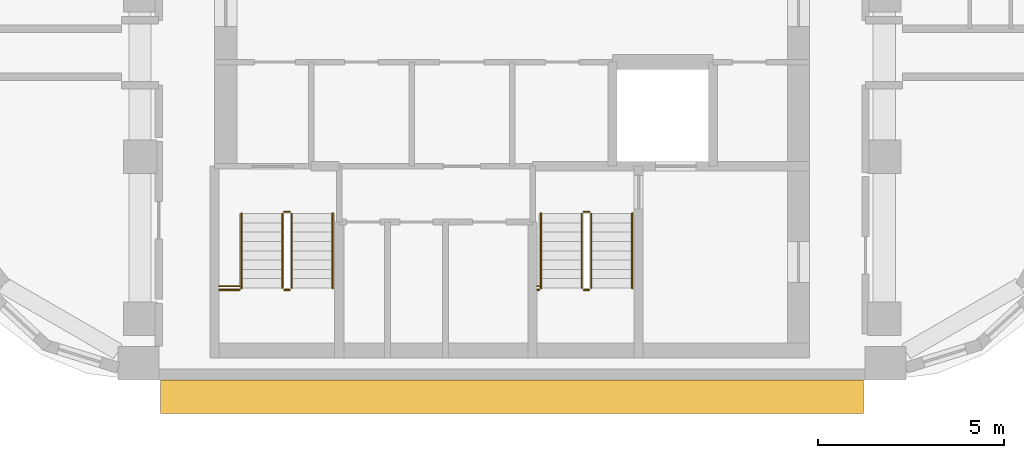
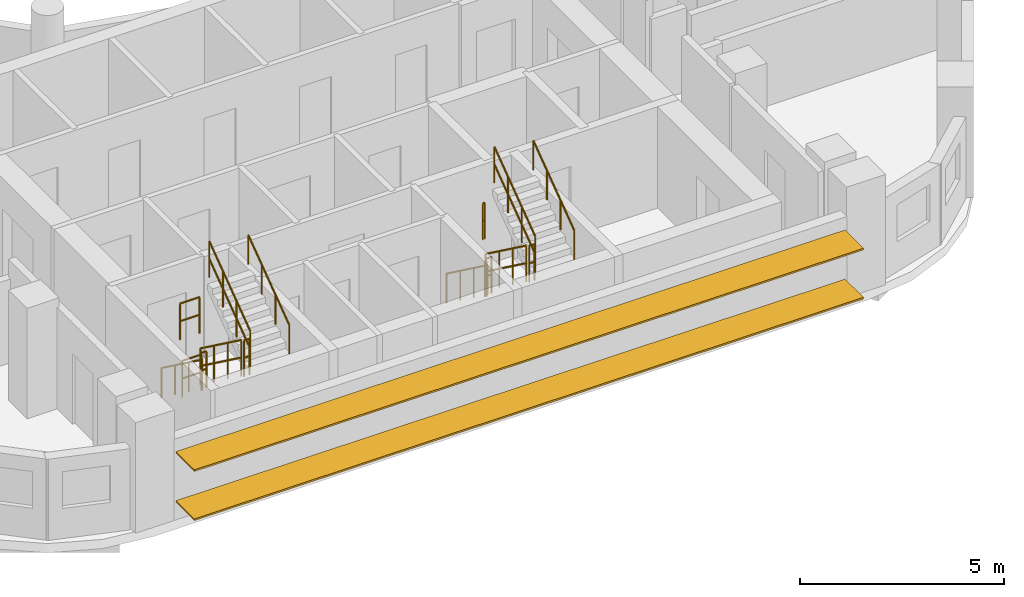
# One storey, part 11 of 13: 16 railings, 2 shading devices.
"""IFC4 building model written with IfcOpenShell, lengths in metres."""

from ifc_helpers import new_model, si_unit, direction, frame, origin, origin_2d, place, context, subcontext, project, spatial, rectangle, circle, extrude, material, material_profile, profile_set, type_object, element, save


model = new_model("IFC4")

# Units and contexts
model_context = context("Model", 3, precision=1e-05, world=origin(), true_north=direction((0.0, 1.0)))
body_context = subcontext(model_context, "Body", "Model", "MODEL_VIEW")
ifc_project = project(units=[si_unit("LENGTHUNIT", "METRE"), si_unit("AREAUNIT", "SQUARE_METRE"), si_unit("VOLUMEUNIT", "CUBIC_METRE"), si_unit("PLANEANGLEUNIT", "RADIAN"), si_unit("MASSUNIT", "GRAM", prefix="KILO")], contexts=[model_context])

# Site, building, storey
site_placement = place(None, origin())
site = spatial("IfcSite", under=ifc_project, at=site_placement, CompositionType="ELEMENT")
building_placement = place(site_placement, origin())
building = spatial("IfcBuilding", under=site, at=building_placement, Name="Nakaniwa Court", CompositionType="ELEMENT")
storey_placement = place(building_placement, frame((0.0, 0.0, 239.39990234375)))
storey = spatial("IfcBuildingStorey", under=building, at=storey_placement, Name="L62", CompositionType="ELEMENT", Elevation=239.39990234375)

# Shading devices
ifc_material_1 = material(Name="Perforated charcoal ceramic louvre blade")
ifc_material_profile = material_profile(ifc_material_1, rectangle(XDim=0.89990234375, YDim=0.050048828125, at=origin_2d()), Name="Perforated ceramic louvre blade")
ifc_profile_set = profile_set([ifc_material_profile], Name="Perforated charcoal ceramic louvre blade")
shading_device_type = type_object("IfcShadingDeviceType", Name="Perforated ceramic louvre blade", PredefinedType="JALOUSIE", material=ifc_profile_set)
for number, where, z_axis, x_axis, name in (
    (1, (70.55078125, 56.89990234375, 0.550048828125), (1.0, 0.0, 0.0), (0.0, 1.0, 0.0), "L62 perforated ceramic louvre blade w26 1"),
    (2, (70.55078125, 56.89990234375, 2.01513671875), (1.0, 0.0, 0.0), (0.0, 1.0, 0.0), "L62 perforated ceramic louvre blade w26 2"),
):
    element("IfcShadingDevice", number, at=place(storey_placement, frame(where, z_axis=z_axis, x_axis=x_axis)), inside=storey, type_object=shading_device_type, Name=name, PredefinedType="JALOUSIE", context=body_context, shape_type="SweptSolid", body=[
        extrude(rectangle(XDim=0.89990234375, YDim=0.050048828125, at=origin_2d()), origin(), (0.0, 0.0, 1.0), 18.892822265625),
    ])

# Railings
ifc_material_2 = material(Name="Black powder coated steel guard", Category="steel")
railing_type_1 = type_object("IfcRailingType", Name="Stair guard 1100", PredefinedType="GUARDRAIL", material=ifc_material_2)
railing_1_placement = place(storey_placement, frame((73.824951171875, 61.824951171875, 0.183349609375)))
element("IfcRailing", 3, at=railing_1_placement, inside=storey, type_object=railing_type_1, Name="L62 ST3 stair guard 1", PredefinedType="GUARDRAIL", context=body_context, shape_type="SweptSolid", body=[
    extrude(circle(Radius=0.02392578125, at=origin_2d()), frame((0.0, 0.0, 1.076171875), z_axis=(0.0, -0.806379959628, 0.591397802423), x_axis=(1.0, 0.0, 0.0)), (0.0, 0.0, 1.0), 2.480224609375),
    extrude(circle(Radius=0.02392578125, at=origin_2d()), frame((0.0, 0.0, 0.550048828125), z_axis=(0.0, -0.806379959628, 0.591397802423), x_axis=(1.0, 0.0, 0.0)), (0.0, 0.0, 1.0), 2.480224609375),
    extrude(circle(Radius=0.02099609375, at=origin_2d()), origin(), (0.0, 0.0, 1.0), 1.052001953125),
    extrude(circle(Radius=0.02099609375, at=origin_2d()), frame((0.0, -0.666748046875, 0.489013671875)), (0.0, 0.0, 1.0), 1.052001953125),
    extrude(circle(Radius=0.02099609375, at=origin_2d()), frame((0.0, -1.333251953125, 0.977783203125)), (0.0, 0.0, 1.0), 1.052001953125),
    extrude(circle(Radius=0.02099609375, at=origin_2d()), frame((0.0, -2.0, 1.466796875)), (0.0, 0.0, 1.0), 1.052001953125),
])
railing_2_placement = place(storey_placement, frame((73.875, 59.77490234375, 1.650146484375)))
element("IfcRailing", 4, at=railing_2_placement, inside=storey, type_object=railing_type_1, Name="L62 ST3 stair guard 2", PredefinedType="GUARDRAIL", context=body_context, shape_type="SweptSolid", body=[
    extrude(circle(Radius=0.02392578125, at=origin_2d()), frame((0.0, 0.0, 1.076171875), z_axis=(1.0, 0.0, 0.0), x_axis=(0.0, 1.0, 0.0)), (0.0, 0.0, 1.0), 0.14990234375),
    extrude(circle(Radius=0.02392578125, at=origin_2d()), frame((0.0, 0.0, 0.550048828125), z_axis=(1.0, 0.0, 0.0), x_axis=(0.0, 1.0, 0.0)), (0.0, 0.0, 1.0), 0.14990234375),
    extrude(circle(Radius=0.02099609375, at=origin_2d()), origin(), (0.0, 0.0, 1.0), 1.052001953125),
    extrude(circle(Radius=0.02099609375, at=origin_2d()), frame((0.14990234375, 0.0, 0.0)), (0.0, 0.0, 1.0), 1.052001953125),
])
railing_3_placement = place(storey_placement, frame((74.074951171875, 59.824951171875, 1.83349609375)))
element("IfcRailing", 5, at=railing_3_placement, inside=storey, type_object=railing_type_1, Name="L62 ST3 stair guard 3", PredefinedType="GUARDRAIL", context=body_context, shape_type="SweptSolid", body=[
    extrude(circle(Radius=0.02392578125, at=origin_2d()), frame((0.0, 0.0, 1.076171875), z_axis=(0.0, 0.806426902644, 0.591333789573), x_axis=(-1.0, 0.0, 0.0)), (0.0, 0.0, 1.0), 2.47998046875),
    extrude(circle(Radius=0.02392578125, at=origin_2d()), frame((0.0, 0.0, 0.550048828125), z_axis=(0.0, 0.806426902644, 0.591333789573), x_axis=(-1.0, 0.0, 0.0)), (0.0, 0.0, 1.0), 2.47998046875),
    extrude(circle(Radius=0.02099609375, at=origin_2d()), origin(), (0.0, 0.0, 1.0), 1.052001953125),
    extrude(circle(Radius=0.02099609375, at=origin_2d()), frame((0.0, 0.666748046875, 0.48876953125)), (0.0, 0.0, 1.0), 1.052001953125),
    extrude(circle(Radius=0.02099609375, at=origin_2d()), frame((0.0, 1.333251953125, 0.977783203125)), (0.0, 0.0, 1.0), 1.052001953125),
    extrude(circle(Radius=0.02099609375, at=origin_2d()), frame((0.0, 2.0, 1.466552734375)), (0.0, 0.0, 1.0), 1.052001953125),
])
railing_4_placement = place(storey_placement, frame((73.875, 61.875, 0.0)))
element("IfcRailing", 6, at=railing_4_placement, inside=storey, type_object=railing_type_1, Name="L62 ST3 stair guard 4", PredefinedType="GUARDRAIL", context=body_context, shape_type="SweptSolid", body=[
    extrude(circle(Radius=0.02392578125, at=origin_2d()), frame((0.0, 0.0, 1.076171875), z_axis=(1.0, 0.0, 0.0), x_axis=(0.0, 1.0, 0.0)), (0.0, 0.0, 1.0), 0.14990234375),
    extrude(circle(Radius=0.02392578125, at=origin_2d()), frame((0.0, 0.0, 0.550048828125), z_axis=(1.0, 0.0, 0.0), x_axis=(0.0, 1.0, 0.0)), (0.0, 0.0, 1.0), 0.14990234375),
    extrude(circle(Radius=0.02099609375, at=origin_2d()), origin(), (0.0, 0.0, 1.0), 1.052001953125),
    extrude(circle(Radius=0.02099609375, at=origin_2d()), frame((0.14990234375, 0.0, 0.0)), (0.0, 0.0, 1.0), 1.052001953125),
])
for number, where, name in (
    (7, (72.125, 59.77490234375, 1.650146484375), "L62 ST3 landing side guard 1W"),
    (8, (72.125, 59.875, 3.300048828125), "L62 ST3 floor edge guard 1W"),
):
    element("IfcRailing", number, at=place(storey_placement, frame(where)), inside=storey, type_object=railing_type_1, Name=name, PredefinedType="GUARDRAIL", context=body_context, shape_type="SweptSolid", body=[
        extrude(circle(Radius=0.02392578125, at=origin_2d()), frame((0.0, 0.0, 1.076171875), z_axis=(1.0, 0.0, 0.0), x_axis=(0.0, 1.0, 0.0)), (0.0, 0.0, 1.0), 0.550048828125),
        extrude(circle(Radius=0.02392578125, at=origin_2d()), frame((0.0, 0.0, 0.550048828125), z_axis=(1.0, 0.0, 0.0), x_axis=(0.0, 1.0, 0.0)), (0.0, 0.0, 1.0), 0.550048828125),
        extrude(circle(Radius=0.02099609375, at=origin_2d()), origin(), (0.0, 0.0, 1.0), 1.052001953125),
        extrude(circle(Radius=0.02099609375, at=origin_2d()), frame((0.550048828125, 0.0, 0.0)), (0.0, 0.0, 1.0), 1.052001953125),
    ])
railing_5_placement = place(storey_placement, frame((81.875, 61.824951171875, 0.183349609375)))
element("IfcRailing", 9, at=railing_5_placement, inside=storey, type_object=railing_type_1, Name="L62 ST4 stair guard 1", PredefinedType="GUARDRAIL", context=body_context, shape_type="SweptSolid", body=[
    extrude(circle(Radius=0.02392578125, at=origin_2d()), frame((0.0, 0.0, 1.076171875), z_axis=(0.0, -0.806379959628, 0.591397802423), x_axis=(1.0, 0.0, 0.0)), (0.0, 0.0, 1.0), 2.480224609375),
    extrude(circle(Radius=0.02392578125, at=origin_2d()), frame((0.0, 0.0, 0.550048828125), z_axis=(0.0, -0.806379959628, 0.591397802423), x_axis=(1.0, 0.0, 0.0)), (0.0, 0.0, 1.0), 2.480224609375),
    extrude(circle(Radius=0.02099609375, at=origin_2d()), origin(), (0.0, 0.0, 1.0), 1.052001953125),
    extrude(circle(Radius=0.02099609375, at=origin_2d()), frame((0.0, -0.666748046875, 0.489013671875)), (0.0, 0.0, 1.0), 1.052001953125),
    extrude(circle(Radius=0.02099609375, at=origin_2d()), frame((0.0, -1.333251953125, 0.977783203125)), (0.0, 0.0, 1.0), 1.052001953125),
    extrude(circle(Radius=0.02099609375, at=origin_2d()), frame((0.0, -2.0, 1.466796875)), (0.0, 0.0, 1.0), 1.052001953125),
])
railing_6_placement = place(storey_placement, frame((81.925048828125, 59.77490234375, 1.650146484375)))
element("IfcRailing", 10, at=railing_6_placement, inside=storey, type_object=railing_type_1, Name="L62 ST4 stair guard 2", PredefinedType="GUARDRAIL", context=body_context, shape_type="SweptSolid", body=[
    extrude(circle(Radius=0.02392578125, at=origin_2d()), frame((0.0, 0.0, 1.076171875), z_axis=(1.0, 0.0, 0.0), x_axis=(0.0, 1.0, 0.0)), (0.0, 0.0, 1.0), 0.14990234375),
    extrude(circle(Radius=0.02392578125, at=origin_2d()), frame((0.0, 0.0, 0.550048828125), z_axis=(1.0, 0.0, 0.0), x_axis=(0.0, 1.0, 0.0)), (0.0, 0.0, 1.0), 0.14990234375),
    extrude(circle(Radius=0.02099609375, at=origin_2d()), origin(), (0.0, 0.0, 1.0), 1.052001953125),
    extrude(circle(Radius=0.02099609375, at=origin_2d()), frame((0.14990234375, 0.0, 0.0)), (0.0, 0.0, 1.0), 1.052001953125),
])
railing_7_placement = place(storey_placement, frame((82.125, 59.824951171875, 1.83349609375)))
element("IfcRailing", 11, at=railing_7_placement, inside=storey, type_object=railing_type_1, Name="L62 ST4 stair guard 3", PredefinedType="GUARDRAIL", context=body_context, shape_type="SweptSolid", body=[
    extrude(circle(Radius=0.02392578125, at=origin_2d()), frame((0.0, 0.0, 1.076171875), z_axis=(0.0, 0.806426902644, 0.591333789573), x_axis=(-1.0, 0.0, 0.0)), (0.0, 0.0, 1.0), 2.47998046875),
    extrude(circle(Radius=0.02392578125, at=origin_2d()), frame((0.0, 0.0, 0.550048828125), z_axis=(0.0, 0.806426902644, 0.591333789573), x_axis=(-1.0, 0.0, 0.0)), (0.0, 0.0, 1.0), 2.47998046875),
    extrude(circle(Radius=0.02099609375, at=origin_2d()), origin(), (0.0, 0.0, 1.0), 1.052001953125),
    extrude(circle(Radius=0.02099609375, at=origin_2d()), frame((0.0, 0.666748046875, 0.48876953125)), (0.0, 0.0, 1.0), 1.052001953125),
    extrude(circle(Radius=0.02099609375, at=origin_2d()), frame((0.0, 1.333251953125, 0.977783203125)), (0.0, 0.0, 1.0), 1.052001953125),
    extrude(circle(Radius=0.02099609375, at=origin_2d()), frame((0.0, 2.0, 1.466552734375)), (0.0, 0.0, 1.0), 1.052001953125),
])
railing_8_placement = place(storey_placement, frame((81.925048828125, 61.875, 0.0)))
element("IfcRailing", 12, at=railing_8_placement, inside=storey, type_object=railing_type_1, Name="L62 ST4 stair guard 4", PredefinedType="GUARDRAIL", context=body_context, shape_type="SweptSolid", body=[
    extrude(circle(Radius=0.02392578125, at=origin_2d()), frame((0.0, 0.0, 1.076171875), z_axis=(1.0, 0.0, 0.0), x_axis=(0.0, 1.0, 0.0)), (0.0, 0.0, 1.0), 0.14990234375),
    extrude(circle(Radius=0.02392578125, at=origin_2d()), frame((0.0, 0.0, 0.550048828125), z_axis=(1.0, 0.0, 0.0), x_axis=(0.0, 1.0, 0.0)), (0.0, 0.0, 1.0), 0.14990234375),
    extrude(circle(Radius=0.02099609375, at=origin_2d()), origin(), (0.0, 0.0, 1.0), 1.052001953125),
    extrude(circle(Radius=0.02099609375, at=origin_2d()), frame((0.14990234375, 0.0, 0.0)), (0.0, 0.0, 1.0), 1.052001953125),
])
for number, where, name in (
    (13, (80.675048828125, 59.77490234375, 1.650146484375), "L62 ST4 landing side guard 1W"),
    (14, (80.675048828125, 59.875, 3.300048828125), "L62 ST4 floor edge guard 1W"),
):
    element("IfcRailing", number, at=place(storey_placement, frame(where)), inside=storey, type_object=railing_type_1, Name=name, PredefinedType="GUARDRAIL", context=body_context, shape_type="SweptSolid", body=[
        extrude(circle(Radius=0.02392578125, at=origin_2d()), frame((0.0, 0.0, 1.076171875), z_axis=(1.0, 0.0, 0.0), x_axis=(0.0, 1.0, 0.0)), (0.0, 0.0, 1.0), 0.050048828125),
        extrude(circle(Radius=0.02392578125, at=origin_2d()), frame((0.0, 0.0, 0.550048828125), z_axis=(1.0, 0.0, 0.0), x_axis=(0.0, 1.0, 0.0)), (0.0, 0.0, 1.0), 0.050048828125),
        extrude(circle(Radius=0.02099609375, at=origin_2d()), origin(), (0.0, 0.0, 1.0), 1.052001953125),
        extrude(circle(Radius=0.02099609375, at=origin_2d()), frame((0.050048828125, 0.0, 0.0)), (0.0, 0.0, 1.0), 1.052001953125),
    ])
ifc_material_3 = material(Name="Black powder coated steel handrail", Category="steel")
railing_type_2 = type_object("IfcRailingType", Name="Stair handrail 900", PredefinedType="HANDRAIL", material=ifc_material_3)
railing_9_placement = place(storey_placement, frame((72.72509765625, 61.824951171875, 0.183349609375)))
element("IfcRailing", 15, at=railing_9_placement, inside=storey, type_object=railing_type_2, Name="L62 ST3 stair handrail 1", PredefinedType="HANDRAIL", context=body_context, shape_type="SweptSolid", body=[
    extrude(circle(Radius=0.02392578125, at=origin_2d()), frame((0.0, 0.0, 0.8759765625), z_axis=(0.0, -0.806379959628, 0.591397802423), x_axis=(1.0, 0.0, 0.0)), (0.0, 0.0, 1.0), 2.480224609375),
    extrude(circle(Radius=0.02099609375, at=origin_2d()), origin(), (0.0, 0.0, 1.0), 0.851806640625),
    extrude(circle(Radius=0.02099609375, at=origin_2d()), frame((0.0, -0.666748046875, 0.489013671875)), (0.0, 0.0, 1.0), 0.851806640625),
    extrude(circle(Radius=0.02099609375, at=origin_2d()), frame((0.0, -1.333251953125, 0.977783203125)), (0.0, 0.0, 1.0), 0.851806640625),
    extrude(circle(Radius=0.02099609375, at=origin_2d()), frame((0.0, -2.0, 1.466796875)), (0.0, 0.0, 1.0), 0.851806640625),
])
railing_10_placement = place(storey_placement, frame((75.175048828125, 59.824951171875, 1.83349609375)))
element("IfcRailing", 16, at=railing_10_placement, inside=storey, type_object=railing_type_2, Name="L62 ST3 stair handrail 2", PredefinedType="HANDRAIL", context=body_context, shape_type="SweptSolid", body=[
    extrude(circle(Radius=0.02392578125, at=origin_2d()), frame((0.0, 0.0, 0.8759765625), z_axis=(0.0, 0.806426902644, 0.591333789573), x_axis=(-1.0, 0.0, 0.0)), (0.0, 0.0, 1.0), 2.47998046875),
    extrude(circle(Radius=0.02099609375, at=origin_2d()), origin(), (0.0, 0.0, 1.0), 0.851806640625),
    extrude(circle(Radius=0.02099609375, at=origin_2d()), frame((0.0, 0.666748046875, 0.48876953125)), (0.0, 0.0, 1.0), 0.851806640625),
    extrude(circle(Radius=0.02099609375, at=origin_2d()), frame((0.0, 1.333251953125, 0.977783203125)), (0.0, 0.0, 1.0), 0.851806640625),
    extrude(circle(Radius=0.02099609375, at=origin_2d()), frame((0.0, 2.0, 1.466552734375)), (0.0, 0.0, 1.0), 0.851806640625),
])
railing_11_placement = place(storey_placement, frame((80.77490234375, 61.824951171875, 0.183349609375)))
element("IfcRailing", 17, at=railing_11_placement, inside=storey, type_object=railing_type_2, Name="L62 ST4 stair handrail 1", PredefinedType="HANDRAIL", context=body_context, shape_type="SweptSolid", body=[
    extrude(circle(Radius=0.02392578125, at=origin_2d()), frame((0.0, 0.0, 0.8759765625), z_axis=(0.0, -0.806379959628, 0.591397802423), x_axis=(1.0, 0.0, 0.0)), (0.0, 0.0, 1.0), 2.480224609375),
    extrude(circle(Radius=0.02099609375, at=origin_2d()), origin(), (0.0, 0.0, 1.0), 0.851806640625),
    extrude(circle(Radius=0.02099609375, at=origin_2d()), frame((0.0, -0.666748046875, 0.489013671875)), (0.0, 0.0, 1.0), 0.851806640625),
    extrude(circle(Radius=0.02099609375, at=origin_2d()), frame((0.0, -1.333251953125, 0.977783203125)), (0.0, 0.0, 1.0), 0.851806640625),
    extrude(circle(Radius=0.02099609375, at=origin_2d()), frame((0.0, -2.0, 1.466796875)), (0.0, 0.0, 1.0), 0.851806640625),
])
railing_12_placement = place(storey_placement, frame((83.22509765625, 59.824951171875, 1.83349609375)))
element("IfcRailing", 18, at=railing_12_placement, inside=storey, type_object=railing_type_2, Name="L62 ST4 stair handrail 2", PredefinedType="HANDRAIL", context=body_context, shape_type="SweptSolid", body=[
    extrude(circle(Radius=0.02392578125, at=origin_2d()), frame((0.0, 0.0, 0.8759765625), z_axis=(0.0, 0.806426902644, 0.591333789573), x_axis=(-1.0, 0.0, 0.0)), (0.0, 0.0, 1.0), 2.47998046875),
    extrude(circle(Radius=0.02099609375, at=origin_2d()), origin(), (0.0, 0.0, 1.0), 0.851806640625),
    extrude(circle(Radius=0.02099609375, at=origin_2d()), frame((0.0, 0.666748046875, 0.48876953125)), (0.0, 0.0, 1.0), 0.851806640625),
    extrude(circle(Radius=0.02099609375, at=origin_2d()), frame((0.0, 1.333251953125, 0.977783203125)), (0.0, 0.0, 1.0), 0.851806640625),
    extrude(circle(Radius=0.02099609375, at=origin_2d()), frame((0.0, 2.0, 1.466552734375)), (0.0, 0.0, 1.0), 0.851806640625),
])

save(model, "model.ifc")
